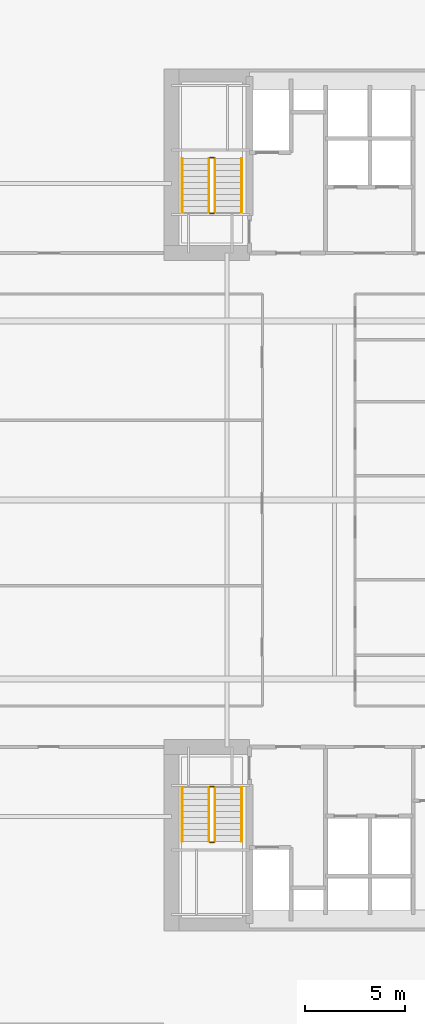
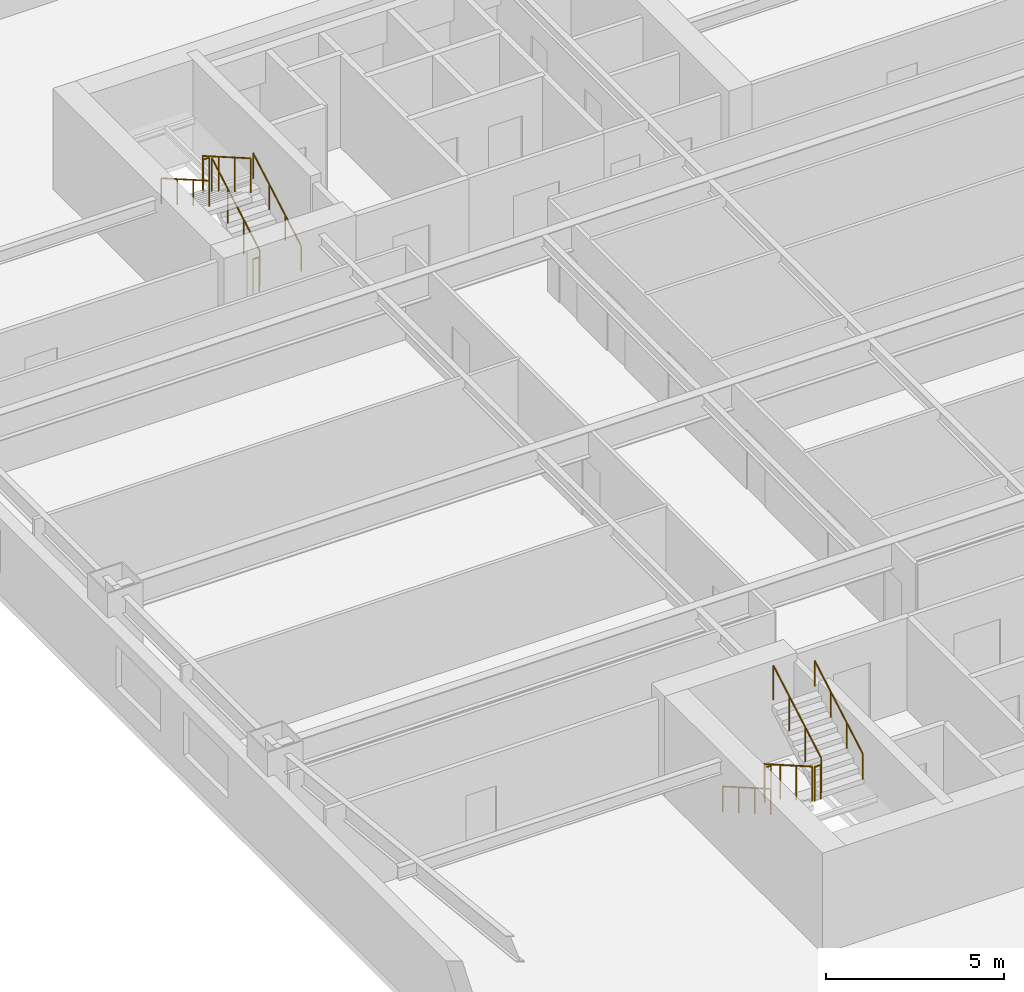
# One storey, part 18 of 19: 12 railings.
"""IFC4 building model written with IfcOpenShell, lengths in metres."""

from ifc_helpers import new_model, si_unit, direction, frame, origin, origin_2d, place, context, subcontext, project, spatial, circle, extrude, material, type_object, element, save


model = new_model("IFC4")

# Units and contexts
model_context = context("Model", 3, precision=1e-05, world=origin(), true_north=direction((0.0, 1.0)))
body_context = subcontext(model_context, "Body", "Model", "MODEL_VIEW")
ifc_project = project(units=[si_unit("LENGTHUNIT", "METRE"), si_unit("AREAUNIT", "SQUARE_METRE"), si_unit("VOLUMEUNIT", "CUBIC_METRE"), si_unit("PLANEANGLEUNIT", "RADIAN"), si_unit("MASSUNIT", "GRAM", prefix="KILO")], contexts=[model_context])

# Site, building, storey
site_placement = place(None, origin())
site = spatial("IfcSite", under=ifc_project, at=site_placement, CompositionType="ELEMENT")
building_placement = place(site_placement, origin())
building = spatial("IfcBuilding", under=site, at=building_placement, Name="Qiaolan Cultural Towers", CompositionType="ELEMENT")
storey_placement = place(building_placement, frame((0.0, 0.0, 54.050048828125)))
storey = spatial("IfcBuildingStorey", under=building, at=storey_placement, Name="L12", CompositionType="ELEMENT", Elevation=54.050048828125)

# Railings
ifc_material_1 = material(Name="Galvanized Painted Steel Stair Guardrail", Category="steel")
railing_type_1 = type_object("IfcRailingType", Name="RL-STAIR-GRD", PredefinedType="GUARDRAIL", material=ifc_material_1)
railing_1_placement = place(storey_placement, frame((23.68994140625, 19.550048828125, 0.17236328125)))
element("IfcRailing", 1, at=railing_1_placement, inside=storey, type_object=railing_type_1, Name="L12 ST-W1 stair guard 1", PredefinedType="GUARDRAIL", context=body_context, shape_type="SweptSolid", body=[
    extrude(circle(Radius=0.02392578125, at=origin_2d()), frame((0.0, 0.0, 1.17578125), z_axis=(0.0, -0.866903762492, 0.498475542607), x_axis=(1.0, 0.0, 0.0)), (0.0, 0.0, 1.0), 3.114501953125),
    extrude(circle(Radius=0.02099609375, at=origin_2d()), origin(), (0.0, 0.0, 1.0), 1.15185546875),
    extrude(circle(Radius=0.02099609375, at=origin_2d()), frame((0.0, -0.89990234375, 0.517578125)), (0.0, 0.0, 1.0), 1.15185546875),
    extrude(circle(Radius=0.02099609375, at=origin_2d()), frame((0.0, -1.800048828125, 1.034912109375)), (0.0, 0.0, 1.0), 1.15185546875),
    extrude(circle(Radius=0.02099609375, at=origin_2d()), frame((0.0, -2.699951171875, 1.552490234375)), (0.0, 0.0, 1.0), 1.15185546875),
])
railing_2_placement = place(storey_placement, frame((23.739990234375, 16.800048828125, 1.724853515625)))
element("IfcRailing", 2, at=railing_2_placement, inside=storey, type_object=railing_type_1, Name="L12 ST-W1 stair guard 2", PredefinedType="GUARDRAIL", context=body_context, shape_type="SweptSolid", body=[
    extrude(circle(Radius=0.02392578125, at=origin_2d()), frame((0.0, 0.0, 1.17578125), z_axis=(1.0, 0.0, 0.0), x_axis=(0.0, 1.0, 0.0)), (0.0, 0.0, 1.0), 0.199951171875),
    extrude(circle(Radius=0.02099609375, at=origin_2d()), origin(), (0.0, 0.0, 1.0), 1.15185546875),
    extrude(circle(Radius=0.02099609375, at=origin_2d()), frame((0.199951171875, 0.0, 0.0)), (0.0, 0.0, 1.0), 1.15185546875),
])
railing_3_placement = place(storey_placement, frame((23.989990234375, 16.85009765625, 1.8974609375)))
element("IfcRailing", 3, at=railing_3_placement, inside=storey, type_object=railing_type_1, Name="L12 ST-W1 stair guard 3", PredefinedType="GUARDRAIL", context=body_context, shape_type="SweptSolid", body=[
    extrude(circle(Radius=0.02392578125, at=origin_2d()), frame((0.0, 0.0, 1.17578125), z_axis=(0.0, 0.866903762492, 0.498475542607), x_axis=(-1.0, 0.0, 0.0)), (0.0, 0.0, 1.0), 3.114501953125),
    extrude(circle(Radius=0.02099609375, at=origin_2d()), origin(), (0.0, 0.0, 1.0), 1.15185546875),
    extrude(circle(Radius=0.02099609375, at=origin_2d()), frame((0.0, 0.89990234375, 0.517578125)), (0.0, 0.0, 1.0), 1.15185546875),
    extrude(circle(Radius=0.02099609375, at=origin_2d()), frame((0.0, 1.800048828125, 1.034912109375)), (0.0, 0.0, 1.0), 1.15185546875),
    extrude(circle(Radius=0.02099609375, at=origin_2d()), frame((0.0, 2.699951171875, 1.552490234375)), (0.0, 0.0, 1.0), 1.15185546875),
])
railing_4_placement = place(storey_placement, frame((23.739990234375, 19.60009765625, 0.0)))
element("IfcRailing", 4, at=railing_4_placement, inside=storey, type_object=railing_type_1, Name="L12 ST-W1 stair guard 4", PredefinedType="GUARDRAIL", context=body_context, shape_type="SweptSolid", body=[
    extrude(circle(Radius=0.02392578125, at=origin_2d()), frame((0.0, 0.0, 1.17578125), z_axis=(1.0, 0.0, 0.0), x_axis=(0.0, 1.0, 0.0)), (0.0, 0.0, 1.0), 0.199951171875),
    extrude(circle(Radius=0.02099609375, at=origin_2d()), origin(), (0.0, 0.0, 1.0), 1.15185546875),
    extrude(circle(Radius=0.02099609375, at=origin_2d()), frame((0.199951171875, 0.0, 0.0)), (0.0, 0.0, 1.0), 1.15185546875),
])
railing_5_placement = place(storey_placement, frame((23.989990234375, 48.449951171875, 0.17236328125)))
element("IfcRailing", 5, at=railing_5_placement, inside=storey, type_object=railing_type_1, Name="L12 ST-W2 stair guard 1", PredefinedType="GUARDRAIL", context=body_context, shape_type="SweptSolid", body=[
    extrude(circle(Radius=0.02392578125, at=origin_2d()), frame((0.0, 0.0, 1.17578125), z_axis=(0.0, 0.866903762492, 0.498475542607), x_axis=(-1.0, 0.0, 0.0)), (0.0, 0.0, 1.0), 3.114501953125),
    extrude(circle(Radius=0.02099609375, at=origin_2d()), origin(), (0.0, 0.0, 1.0), 1.15185546875),
    extrude(circle(Radius=0.02099609375, at=origin_2d()), frame((0.0, 0.89990234375, 0.517578125)), (0.0, 0.0, 1.0), 1.15185546875),
    extrude(circle(Radius=0.02099609375, at=origin_2d()), frame((0.0, 1.800048828125, 1.034912109375)), (0.0, 0.0, 1.0), 1.15185546875),
    extrude(circle(Radius=0.02099609375, at=origin_2d()), frame((0.0, 2.699951171875, 1.552490234375)), (0.0, 0.0, 1.0), 1.15185546875),
])
railing_6_placement = place(storey_placement, frame((23.93994140625, 51.199951171875, 1.724853515625)))
element("IfcRailing", 6, at=railing_6_placement, inside=storey, type_object=railing_type_1, Name="L12 ST-W2 stair guard 2", PredefinedType="GUARDRAIL", context=body_context, shape_type="SweptSolid", body=[
    extrude(circle(Radius=0.02392578125, at=origin_2d()), frame((0.0, 0.0, 1.17578125), z_axis=(-1.0, 0.0, 0.0), x_axis=(0.0, -1.0, 0.0)), (0.0, 0.0, 1.0), 0.199951171875),
    extrude(circle(Radius=0.02099609375, at=origin_2d()), origin(), (0.0, 0.0, 1.0), 1.15185546875),
    extrude(circle(Radius=0.02099609375, at=origin_2d()), frame((-0.199951171875, 0.0, 0.0)), (0.0, 0.0, 1.0), 1.15185546875),
])
railing_7_placement = place(storey_placement, frame((23.68994140625, 51.14990234375, 1.8974609375)))
element("IfcRailing", 7, at=railing_7_placement, inside=storey, type_object=railing_type_1, Name="L12 ST-W2 stair guard 3", PredefinedType="GUARDRAIL", context=body_context, shape_type="SweptSolid", body=[
    extrude(circle(Radius=0.02392578125, at=origin_2d()), frame((0.0, 0.0, 1.17578125), z_axis=(0.0, -0.866903762492, 0.498475542607), x_axis=(1.0, 0.0, 0.0)), (0.0, 0.0, 1.0), 3.114501953125),
    extrude(circle(Radius=0.02099609375, at=origin_2d()), origin(), (0.0, 0.0, 1.0), 1.15185546875),
    extrude(circle(Radius=0.02099609375, at=origin_2d()), frame((0.0, -0.89990234375, 0.517578125)), (0.0, 0.0, 1.0), 1.15185546875),
    extrude(circle(Radius=0.02099609375, at=origin_2d()), frame((0.0, -1.800048828125, 1.034912109375)), (0.0, 0.0, 1.0), 1.15185546875),
    extrude(circle(Radius=0.02099609375, at=origin_2d()), frame((0.0, -2.699951171875, 1.552490234375)), (0.0, 0.0, 1.0), 1.15185546875),
])
railing_8_placement = place(storey_placement, frame((23.93994140625, 48.39990234375, 0.0)))
element("IfcRailing", 8, at=railing_8_placement, inside=storey, type_object=railing_type_1, Name="L12 ST-W2 stair guard 4", PredefinedType="GUARDRAIL", context=body_context, shape_type="SweptSolid", body=[
    extrude(circle(Radius=0.02392578125, at=origin_2d()), frame((0.0, 0.0, 1.17578125), z_axis=(-1.0, 0.0, 0.0), x_axis=(0.0, -1.0, 0.0)), (0.0, 0.0, 1.0), 0.199951171875),
    extrude(circle(Radius=0.02099609375, at=origin_2d()), origin(), (0.0, 0.0, 1.0), 1.15185546875),
    extrude(circle(Radius=0.02099609375, at=origin_2d()), frame((-0.199951171875, 0.0, 0.0)), (0.0, 0.0, 1.0), 1.15185546875),
])
ifc_material_2 = material(Name="Stainless Steel S30408 Tubular Handrail", Category="steel")
railing_type_2 = type_object("IfcRailingType", Name="RL-STAIR-HR", PredefinedType="HANDRAIL", material=ifc_material_2)
railing_9_placement = place(storey_placement, frame((22.35009765625, 19.550048828125, 0.17236328125)))
element("IfcRailing", 9, at=railing_9_placement, inside=storey, type_object=railing_type_2, Name="L12 ST-W1 stair handrail 1", PredefinedType="HANDRAIL", context=body_context, shape_type="SweptSolid", body=[
    extrude(circle(Radius=0.02392578125, at=origin_2d()), frame((0.0, 0.0, 0.8759765625), z_axis=(0.0, -0.866903762492, 0.498475542607), x_axis=(1.0, 0.0, 0.0)), (0.0, 0.0, 1.0), 3.114501953125),
    extrude(circle(Radius=0.02099609375, at=origin_2d()), origin(), (0.0, 0.0, 1.0), 0.851806640625),
    extrude(circle(Radius=0.02099609375, at=origin_2d()), frame((0.0, -0.89990234375, 0.517578125)), (0.0, 0.0, 1.0), 0.851806640625),
    extrude(circle(Radius=0.02099609375, at=origin_2d()), frame((0.0, -1.800048828125, 1.034912109375)), (0.0, 0.0, 1.0), 0.851806640625),
    extrude(circle(Radius=0.02099609375, at=origin_2d()), frame((0.0, -2.699951171875, 1.552490234375)), (0.0, 0.0, 1.0), 0.851806640625),
])
for number, where, name in (
    (10, (25.330078125, 16.85009765625, 1.8974609375), "L12 ST-W1 stair handrail 2"),
    (11, (25.330078125, 48.449951171875, 0.17236328125), "L12 ST-W2 stair handrail 1"),
):
    element("IfcRailing", number, at=place(storey_placement, frame(where)), inside=storey, type_object=railing_type_2, Name=name, PredefinedType="HANDRAIL", context=body_context, shape_type="SweptSolid", body=[
        extrude(circle(Radius=0.02392578125, at=origin_2d()), frame((0.0, 0.0, 0.8759765625), z_axis=(0.0, 0.866903762492, 0.498475542607), x_axis=(-1.0, 0.0, 0.0)), (0.0, 0.0, 1.0), 3.114501953125),
        extrude(circle(Radius=0.02099609375, at=origin_2d()), origin(), (0.0, 0.0, 1.0), 0.851806640625),
        extrude(circle(Radius=0.02099609375, at=origin_2d()), frame((0.0, 0.89990234375, 0.517578125)), (0.0, 0.0, 1.0), 0.851806640625),
        extrude(circle(Radius=0.02099609375, at=origin_2d()), frame((0.0, 1.800048828125, 1.034912109375)), (0.0, 0.0, 1.0), 0.851806640625),
        extrude(circle(Radius=0.02099609375, at=origin_2d()), frame((0.0, 2.699951171875, 1.552490234375)), (0.0, 0.0, 1.0), 0.851806640625),
    ])
railing_10_placement = place(storey_placement, frame((22.35009765625, 51.14990234375, 1.8974609375)))
element("IfcRailing", 12, at=railing_10_placement, inside=storey, type_object=railing_type_2, Name="L12 ST-W2 stair handrail 2", PredefinedType="HANDRAIL", context=body_context, shape_type="SweptSolid", body=[
    extrude(circle(Radius=0.02392578125, at=origin_2d()), frame((0.0, 0.0, 0.8759765625), z_axis=(0.0, -0.866903762492, 0.498475542607), x_axis=(1.0, 0.0, 0.0)), (0.0, 0.0, 1.0), 3.114501953125),
    extrude(circle(Radius=0.02099609375, at=origin_2d()), origin(), (0.0, 0.0, 1.0), 0.851806640625),
    extrude(circle(Radius=0.02099609375, at=origin_2d()), frame((0.0, -0.89990234375, 0.517578125)), (0.0, 0.0, 1.0), 0.851806640625),
    extrude(circle(Radius=0.02099609375, at=origin_2d()), frame((0.0, -1.800048828125, 1.034912109375)), (0.0, 0.0, 1.0), 0.851806640625),
    extrude(circle(Radius=0.02099609375, at=origin_2d()), frame((0.0, -2.699951171875, 1.552490234375)), (0.0, 0.0, 1.0), 0.851806640625),
])

save(model, "model.ifc")
